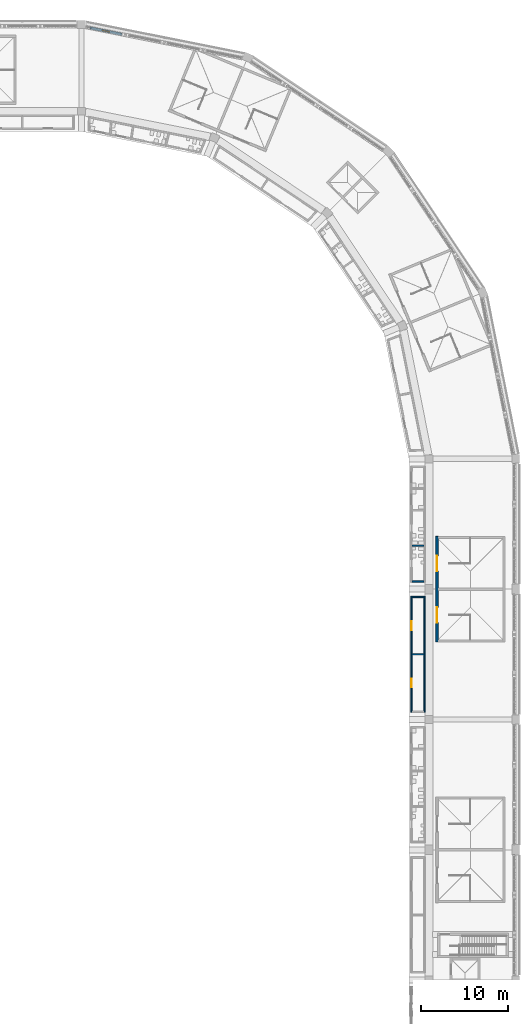
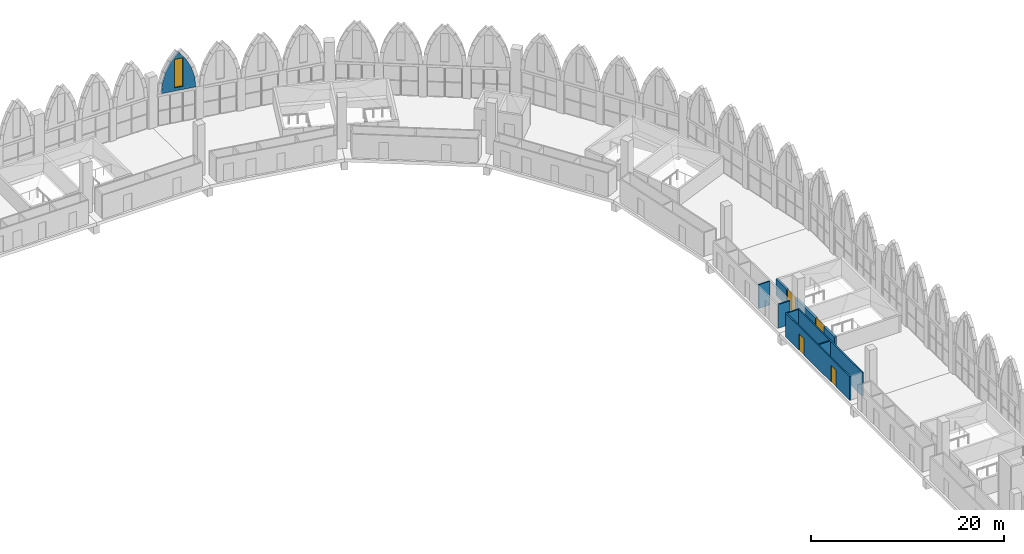
# One storey, part 84 of 130: 8 walls, 4 doors, 1 window, 5 openings.
"""IFC4 building model written with IfcOpenShell, lengths in metres."""

from ifc_helpers import new_model, si_unit, direction, frame, frame_2d, origin, place, context, subcontext, project, spatial, polyline, rectangle, outline, extrude, material, layer, layer_set, type_object, element, fill, save


model = new_model("IFC4")

# Units and contexts
model_context = context("Model", 3, precision=1e-05, world=origin(), true_north=direction((0.0, 1.0)))
body_context = subcontext(model_context, "Body", "Model", "MODEL_VIEW")
ifc_project = project(units=[si_unit("LENGTHUNIT", "METRE"), si_unit("AREAUNIT", "SQUARE_METRE"), si_unit("VOLUMEUNIT", "CUBIC_METRE"), si_unit("PLANEANGLEUNIT", "RADIAN"), si_unit("MASSUNIT", "GRAM", prefix="KILO")], contexts=[model_context])

# Site, building, storey
site_placement = place(None, origin())
site = spatial("IfcSite", under=ifc_project, at=site_placement, CompositionType="ELEMENT")
building_placement = place(site_placement, origin())
building = spatial("IfcBuilding", under=site, at=building_placement, Name="Ogive Plaza Stadium", CompositionType="ELEMENT")
storey_placement = place(building_placement, frame((0.0, 0.0, 22.5)))
storey = spatial("IfcBuildingStorey", under=building, at=storey_placement, Name="L05", CompositionType="ELEMENT", Elevation=22.5)

# Wall, openings, doors
ifc_material_1 = material(Name="Masonry blockwork", Category="masonry")
ifc_layer_1 = layer(ifc_material_1, 0.14990234375)
ifc_layer_set_1 = layer_set([ifc_layer_1], Name="Blockwork wall 150")
wall_type_1 = type_object("IfcWallType", Name="Blockwork wall 150", PredefinedType="SOLIDWALL", material=ifc_layer_set_1)
wall_1_placement = place(storey_placement, frame((72.0, 36.675048828125, 0.0), z_axis=(0.0, 0.0, 1.0), x_axis=(0.0, -1.0, 0.0)))
wall_1 = element("IfcWall", 1, at=wall_1_placement, inside=storey, type_object=wall_type_1, Name="Wall L05 B02", PredefinedType="SOLIDWALL", context=body_context, shape_type="SweptSolid", body=[
    extrude(rectangle(XDim=13.35009765625, YDim=0.14990234375, at=frame_2d((6.675048828125, 0.0))), origin(), (0.0, 0.0, 1.0), 3.0),
])
opening_1_placement = place(wall_1_placement, frame((2.875, 0.0, 0.0)))
opening_1 = element("IfcOpeningElement", 2, at=opening_1_placement, cuts=wall_1, Name="Opening D0921", PredefinedType="OPENING", context=body_context, shape_type="SweptSolid", body=[
    extrude(rectangle(XDim=1.0, YDim=2.10009765625, at=frame_2d((0.5, 1.050048828125))), frame((0.0, 0.074951171875, 0.0), z_axis=(0.0, -1.0, 0.0), x_axis=(1.0, 0.0, 0.0)), (0.0, 0.0, 1.0), 0.14990234375),
])
opening_2_placement = place(wall_1_placement, frame((9.47509765625, 0.0, 0.0)))
opening_2 = element("IfcOpeningElement", 3, at=opening_2_placement, cuts=wall_1, Name="Opening D0922", PredefinedType="OPENING", context=body_context, shape_type="SweptSolid", body=[
    extrude(rectangle(XDim=1.0, YDim=2.10009765625, at=frame_2d((0.5, 1.050048828125))), frame((0.0, 0.074951171875, 0.0), z_axis=(0.0, -1.0, 0.0), x_axis=(1.0, 0.0, 0.0)), (0.0, 0.0, 1.0), 0.14990234375),
])
ifc_material_2 = material(Name="Steel ASTM A572 Grade 50", Category="steel")
door_type_1 = type_object("IfcDoorType", Name="Door 1000 x 2100", OperationType="SINGLE_SWING_LEFT", PredefinedType="DOOR", material=ifc_material_2)
door_1_placement = place(opening_1_placement, origin())
door_1 = element("IfcDoor", 4, at=door_1_placement, inside=storey, type_object=door_type_1, Name="Concession Stand B02 door", OperationType="SINGLE_SWING_LEFT", OverallHeight=2.10009765625, OverallWidth=1.0, PredefinedType="DOOR", context=body_context, shape_type="SweptSolid", body=[
    extrude(rectangle(XDim=1.0, YDim=2.10009765625, at=frame_2d((0.5, 1.050048828125))), frame((0.0, 0.02490234375, 0.0), z_axis=(0.0, -1.0, 0.0), x_axis=(1.0, 0.0, 0.0)), (0.0, 0.0, 1.0), 0.050048828125),
])
fill(opening_1, door_1)
door_2_placement = place(opening_2_placement, origin())
door_2 = element("IfcDoor", 5, at=door_2_placement, inside=storey, type_object=door_type_1, Name="Concession Stand B02 door", OperationType="SINGLE_SWING_RIGHT", OverallHeight=2.10009765625, OverallWidth=1.0, PredefinedType="DOOR", context=body_context, shape_type="SweptSolid", body=[
    extrude(rectangle(XDim=1.0, YDim=2.10009765625, at=frame_2d((0.5, 1.050048828125))), frame((0.0, 0.02490234375, 0.0), z_axis=(0.0, -1.0, 0.0), x_axis=(1.0, 0.0, 0.0)), (0.0, 0.0, 1.0), 0.050048828125),
])
fill(opening_2, door_2)

# Walls
wall_2_placement = place(storey_placement, frame((73.5, 36.675048828125, 0.0), z_axis=(0.0, 0.0, 1.0), x_axis=(0.0, -1.0, 0.0)))
element("IfcWall", 6, at=wall_2_placement, inside=storey, type_object=wall_type_1, Name="Wall L05 B02", PredefinedType="SOLIDWALL", context=body_context, shape_type="SweptSolid", body=[
    extrude(rectangle(XDim=13.35009765625, YDim=0.14990234375, at=frame_2d((6.675048828125, 0.0))), origin(), (0.0, 0.0, 1.0), 3.0),
])
for number, where, z_axis, x_axis, name in (
    (7, (72.074951171875, 36.60009765625, 0.0), (0.0, 0.0, 1.0), (1.0, 0.0, 0.0), "Wall L05 B02"),
    (8, (72.074951171875, 30.0, 0.0), (0.0, 0.0, 1.0), (1.0, 0.0, 0.0), "Wall L05 B02"),
):
    element("IfcWall", number, at=place(storey_placement, frame(where, z_axis=z_axis, x_axis=x_axis)), inside=storey, type_object=wall_type_1, Name=name, PredefinedType="SOLIDWALL", context=body_context, shape_type="SweptSolid", body=[
        extrude(rectangle(XDim=1.35009765625, YDim=0.14990234375, at=frame_2d((0.675048828125, 0.0))), origin(), (0.0, 0.0, 1.0), 3.0),
    ])

# Wall, openings, doors
ifc_material_3 = material(Name="Concrete C40/50", Category="concrete")
ifc_layer_2 = layer(ifc_material_3, 0.25)
ifc_layer_set_2 = layer_set([ifc_layer_2], Name="Concrete C40/50")
wall_type_2 = type_object("IfcWallType", Name="Core wall 250", PredefinedType="SHEAR", material=ifc_layer_set_2)
wall_3_placement = place(storey_placement, frame((74.925048828125, 31.425048828125, 0.0), z_axis=(0.0, 0.0, 1.0), x_axis=(0.0, 1.0, 0.0)))
wall_3 = element("IfcWall", 9, at=wall_3_placement, inside=storey, type_object=wall_type_2, Name="Stair core R02 inner wall", PredefinedType="SHEAR", context=body_context, shape_type="SweptSolid", body=[
    extrude(rectangle(XDim=12.14990234375, YDim=0.25, at=frame_2d((6.074951171875, 0.0))), origin(), (0.0, 0.0, 1.0), 2.10009765625),
])
opening_3_placement = place(wall_3_placement, frame((2.199951171875, 0.0, 0.0)))
opening_3 = element("IfcOpeningElement", 10, at=opening_3_placement, cuts=wall_3, Name="Opening D0053", PredefinedType="OPENING", context=body_context, shape_type="SweptSolid", body=[
    extrude(rectangle(XDim=1.800048828125, YDim=2.10009765625, at=frame_2d((0.89990234375, 1.050048828125))), frame((0.0, 0.125, 0.0), z_axis=(0.0, -1.0, 0.0), x_axis=(1.0, 0.0, 0.0)), (0.0, 0.0, 1.0), 0.25),
])
opening_4_placement = place(wall_3_placement, frame((8.14990234375, 0.0, 0.0)))
opening_4 = element("IfcOpeningElement", 11, at=opening_4_placement, cuts=wall_3, Name="Opening D0054", PredefinedType="OPENING", context=body_context, shape_type="SweptSolid", body=[
    extrude(rectangle(XDim=1.800048828125, YDim=2.10009765625, at=frame_2d((0.89990234375, 1.050048828125))), frame((0.0, 0.125, 0.0), z_axis=(0.0, -1.0, 0.0), x_axis=(1.0, 0.0, 0.0)), (0.0, 0.0, 1.0), 0.25),
])
ifc_material_4 = material(Name="Steel ASTM A572 Grade 50", Category="steel")
door_type_2 = type_object("IfcDoorType", Name="Fire door FD90 pair 1800 x 2100", OperationType="DOUBLE_DOOR_SINGLE_SWING", PredefinedType="DOOR", material=ifc_material_4)
door_3_placement = place(opening_3_placement, origin())
door_3 = element("IfcDoor", 12, at=door_3_placement, inside=storey, type_object=door_type_2, Name="Exit stair R02A door L05", OperationType="DOUBLE_DOOR_SINGLE_SWING", OverallHeight=2.10009765625, OverallWidth=1.800048828125, PredefinedType="DOOR", context=body_context, shape_type="SweptSolid", body=[
    extrude(rectangle(XDim=1.800048828125, YDim=2.10009765625, at=frame_2d((0.89990234375, 1.050048828125))), frame((0.0, 0.02490234375, 0.0), z_axis=(0.0, -1.0, 0.0), x_axis=(1.0, 0.0, 0.0)), (0.0, 0.0, 1.0), 0.050048828125),
])
fill(opening_3, door_3)
door_4_placement = place(opening_4_placement, origin())
door_4 = element("IfcDoor", 13, at=door_4_placement, inside=storey, type_object=door_type_2, Name="Exit stair R02B door L05", OperationType="DOUBLE_DOOR_SINGLE_SWING", OverallHeight=2.10009765625, OverallWidth=1.800048828125, PredefinedType="DOOR", context=body_context, shape_type="SweptSolid", body=[
    extrude(rectangle(XDim=1.800048828125, YDim=2.10009765625, at=frame_2d((0.89990234375, 1.050048828125))), frame((0.0, 0.02490234375, 0.0), z_axis=(0.0, -1.0, 0.0), x_axis=(1.0, 0.0, 0.0)), (0.0, 0.0, 1.0), 0.050048828125),
])
fill(opening_4, door_4)

# Walls
ifc_material_5 = material(Name="Gypsum board partition", Category="gypsum")
ifc_layer_3 = layer(ifc_material_5, 0.14990234375)
ifc_layer_set_3 = layer_set([ifc_layer_3], Name="Partition 150")
wall_type_3 = type_object("IfcWallType", Name="Partition 150", PredefinedType="PARTITIONING", material=ifc_layer_set_3)
for number, where, z_axis, x_axis, name in (
    (14, (72.074951171875, 38.39990234375, 0.0), (0.0, 0.0, 1.0), (1.0, 0.0, 0.0), "Wall L05 B01"),
    (15, (72.074951171875, 42.491943359375, 0.0), (0.0, 0.0, 1.0), (1.0, 0.0, 0.0), "Wall L05 B01"),
):
    element("IfcWall", number, at=place(storey_placement, frame(where, z_axis=z_axis, x_axis=x_axis)), inside=storey, type_object=wall_type_3, Name=name, PredefinedType="PARTITIONING", context=body_context, shape_type="SweptSolid", body=[
        extrude(rectangle(XDim=1.35009765625, YDim=0.14990234375, at=frame_2d((0.675048828125, 0.0))), origin(), (0.0, 0.0, 1.0), 3.0),
    ])

# Wall, opening, window
ifc_material_6 = material(Name="Concrete C45/55 precast", Category="concrete")
ifc_layer_4 = layer(ifc_material_6, 0.25)
ifc_material_7 = material(Name="Cast stone (reconstituted limestone)", Category="masonry")
ifc_layer_5 = layer(ifc_material_7, 0.050048828125)
ifc_layer_set_4 = layer_set([ifc_layer_4, ifc_layer_5], Name="Concrete C45/55 precast, cast stone facing")
wall_type_4 = type_object("IfcWallType", Name="Tympanum wall 300", PredefinedType="SOLIDWALL", material=ifc_layer_set_4)
wall_4_placement = place(storey_placement, frame((34.9814453125, 102.100830078125, 4.10009765625), z_axis=(0.0, 0.0, 1.0), x_axis=(0.980787572669, -0.195078797665, 0.0)))
wall_4 = element("IfcWall", 16, at=wall_4_placement, inside=storey, type_object=wall_type_4, Name="TYMPANUM B37 1", PredefinedType="SOLIDWALL", context=body_context, shape_type="SweptSolid", body=[
    extrude(outline(polyline([(0.0, 0.0), (3.757080078125, 0.0), (3.757080078125, 0.0498046875), (3.634521484375, 1.311279296875), (3.270751953125, 2.5771484375), (2.678466796875, 3.753662109375), (1.878662109375, 4.7998046875), (1.07861328125, 3.753662109375), (0.486328125, 2.5771484375), (0.12255859375, 1.311279296875), (0.0, 0.0498046875), (0.0, 0.0)])), frame((0.0, 0.14990234375, 0.0), z_axis=(0.0, -1.0, 0.0), x_axis=(1.0, 0.0, 0.0)), (0.0, 0.0, 1.0), 0.300048828125),
])
opening_5_placement = place(wall_4_placement, frame((1.428466796875, 0.0, 0.39990234375)))
opening_5 = element("IfcOpeningElement", 17, at=opening_5_placement, cuts=wall_4, Name="Opening W-37-1", PredefinedType="OPENING", context=body_context, shape_type="SweptSolid", body=[
    extrude(rectangle(XDim=0.89990234375, YDim=3.60009765625, at=frame_2d((0.449951171875, 1.800048828125))), frame((0.0, 0.16015625, 0.0), z_axis=(0.0, -1.0, 0.0), x_axis=(1.0, 0.0, 0.0)), (0.0, 0.0, 1.0), 0.320068359375),
])
ifc_material_8 = material(Name="Bronze-anodised aluminium and laminated glass", Category="aluminium")
window_type = type_object("IfcWindowType", Name="Lancet window 900 x 3600", PartitioningType="SINGLE_PANEL", PredefinedType="WINDOW", material=ifc_material_8)
window_placement = place(opening_5_placement, origin())
window = element("IfcWindow", 18, at=window_placement, inside=storey, type_object=window_type, Name="LANCET WINDOW B37 1", OverallHeight=3.60009765625, OverallWidth=0.89990234375, PartitioningType="SINGLE_PANEL", PredefinedType="WINDOW", context=body_context, shape_type="SweptSolid", body=[
    extrude(rectangle(XDim=0.89990234375, YDim=3.60009765625, at=frame_2d((0.449951171875, 1.800048828125))), frame((0.0, 0.030029296875, 0.0), z_axis=(0.0, -1.0, 0.0), x_axis=(1.0, 0.0, 0.0)), (0.0, 0.0, 1.0), 0.06005859375),
])
fill(opening_5, window)

save(model, "model.ifc")
